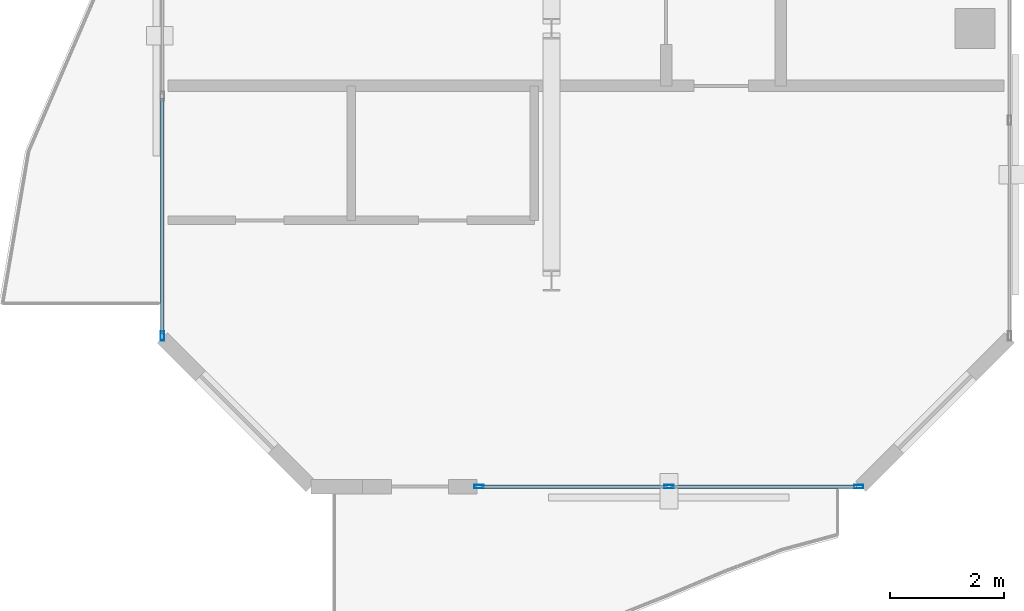
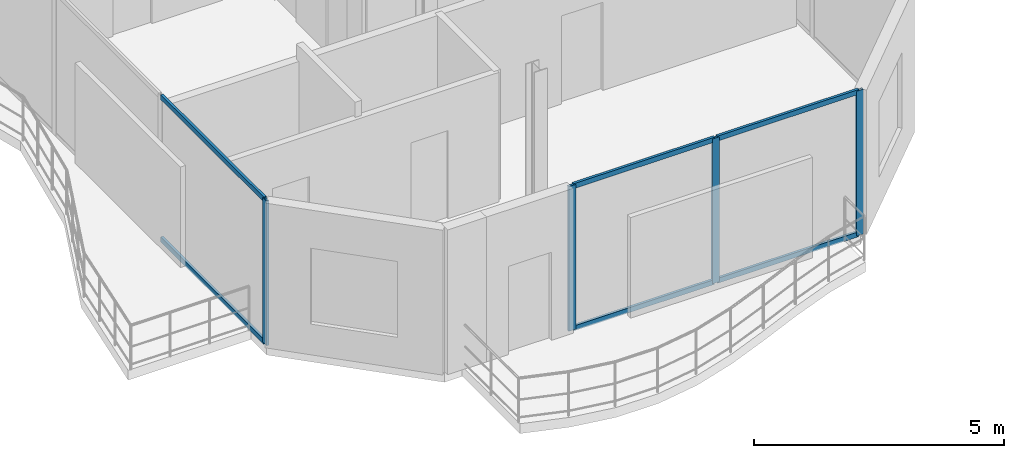
# One storey, part 2 of 17: 10 members, 2 elements without a shape of their own.
"""IFC4 building model written with IfcOpenShell, lengths in metres."""

from ifc_helpers import new_model, si_unit, direction, frame, origin, origin_2d, place, context, subcontext, project, spatial, hollow_rectangle, extrude, material, layer, layer_set, material_profile, profile_set, type_object, element, aggregate, save


model = new_model("IFC4")

# Units and contexts
model_context = context("Model", 3, precision=1e-05, world=origin(), true_north=direction((0.0, 1.0)))
body_context = subcontext(model_context, "Body", "Model", "MODEL_VIEW")
ifc_project = project(units=[si_unit("LENGTHUNIT", "METRE"), si_unit("AREAUNIT", "SQUARE_METRE"), si_unit("VOLUMEUNIT", "CUBIC_METRE"), si_unit("PLANEANGLEUNIT", "RADIAN"), si_unit("MASSUNIT", "GRAM", prefix="KILO")], contexts=[model_context])

# Site, building, storey
site_placement = place(None, origin())
site = spatial("IfcSite", under=ifc_project, at=site_placement, CompositionType="ELEMENT")
building_placement = place(site_placement, origin())
building = spatial("IfcBuilding", under=site, at=building_placement, Name="Catumbela Crestline Tower", CompositionType="ELEMENT")
storey_placement = place(building_placement, frame((0.0, 0.0, 267.8)))
storey = spatial("IfcBuildingStorey", under=building, at=storey_placement, Name="L69", CompositionType="ELEMENT", Elevation=267.8)

# Curtain wall, members
ifc_material = material(Name="Aluminium alloy AW-6060-T66", Category="aluminium")
ifc_layer = layer(ifc_material, 0.18, Name="Aluminium alloy AW-6060-T66")
ifc_layer_set = layer_set([ifc_layer], Name="Aluminium alloy AW-6060-T66")
curtain_wall_type = type_object("IfcCurtainWallType", Name="CWU-Z4", PredefinedType="USERDEFINED", material=ifc_layer_set)
curtain_wall_1_placement = place(storey_placement, origin())
curtain_wall_1 = element("IfcCurtainWall", 1, at=curtain_wall_1_placement, inside=storey, type_object=curtain_wall_type, Name="L69 Unitised Curtain Wall CW-L69-E0S2", ObjectType="UNITISED", PredefinedType="USERDEFINED")
ifc_material_profile_1 = material_profile(ifc_material, hollow_rectangle(XDim=0.06, YDim=0.16, WallThickness=0.004, at=origin_2d()), Name="ALU 160x60x4")
ifc_profile_set_1 = profile_set([ifc_material_profile_1], Name="Aluminium alloy AW-6060-T66")
member_type_1 = type_object("IfcMemberType", Name="MUL-160X60", PredefinedType="MULLION", material=ifc_profile_set_1)
member_1_placement = place(storey_placement, frame((14.7325, 10.0, 0.0), z_axis=(0.0, 0.0, 1.0), x_axis=(0.0, 1.0, 0.0)))
member_1 = element("IfcMember", 2, at=member_1_placement, type_object=member_type_1, Name="CWU-Z4 mullion 1", PredefinedType="MULLION", context=body_context, shape_type="SweptSolid", body=[
    extrude(hollow_rectangle(XDim=0.06, YDim=0.16, WallThickness=0.004, at=origin_2d()), origin(), (0.0, 0.0, 1.0), 3.53),
])
member_2_placement = place(storey_placement, frame((18.05, 10.0, 0.0), z_axis=(0.0, 0.0, 1.0), x_axis=(0.0, 1.0, 0.0)))
member_2 = element("IfcMember", 3, at=member_2_placement, type_object=member_type_1, Name="CWU-Z4 mullion 2", PredefinedType="MULLION", context=body_context, shape_type="SweptSolid", body=[
    extrude(hollow_rectangle(XDim=0.06, YDim=0.16, WallThickness=0.004, at=origin_2d()), origin(), (0.0, 0.0, 1.0), 3.53),
])
member_3_placement = place(storey_placement, frame((21.3675, 10.0, 0.0), z_axis=(0.0, 0.0, 1.0), x_axis=(0.0, 1.0, 0.0)))
member_3 = element("IfcMember", 4, at=member_3_placement, type_object=member_type_1, Name="CWU-Z4 mullion 3", PredefinedType="MULLION", context=body_context, shape_type="SweptSolid", body=[
    extrude(hollow_rectangle(XDim=0.06, YDim=0.16, WallThickness=0.004, at=origin_2d()), origin(), (0.0, 0.0, 1.0), 3.53),
])

# Curtain wall, member
curtain_wall_2_placement = place(storey_placement, origin())
curtain_wall_2 = element("IfcCurtainWall", 5, at=curtain_wall_2_placement, inside=storey, type_object=curtain_wall_type, Name="L69 Unitised Curtain Wall CW-L69-E9S2", ObjectType="UNITISED", PredefinedType="USERDEFINED")
member_4_placement = place(storey_placement, frame((9.2, 12.6325, 0.0), z_axis=(0.0, 0.0, 1.0), x_axis=(1.0, 0.0, 0.0)))
member_4 = element("IfcMember", 6, at=member_4_placement, type_object=member_type_1, Name="CWU-Z4 mullion 6", PredefinedType="MULLION", context=body_context, shape_type="SweptSolid", body=[
    extrude(hollow_rectangle(XDim=0.06, YDim=0.16, WallThickness=0.004, at=origin_2d()), origin(), (0.0, 0.0, 1.0), 3.53),
])

# Member
ifc_material_profile_2 = material_profile(ifc_material, hollow_rectangle(XDim=0.06, YDim=0.12, WallThickness=0.0035, at=origin_2d()), Name="ALU 120x60x3.5")
ifc_profile_set_2 = profile_set([ifc_material_profile_2], Name="Aluminium alloy AW-6060-T66")
member_type_2 = type_object("IfcMemberType", Name="TRN-120X60", PredefinedType="USERDEFINED", material=ifc_profile_set_2)
member_5_placement = place(storey_placement, frame((14.765, 10.0, 0.03), z_axis=(1.0, 0.0, 0.0), x_axis=(0.0, 1.0, 0.0)))
member_5 = element("IfcMember", 7, at=member_5_placement, type_object=member_type_2, Name="CWU-Z4 transom 1.1", ObjectType="TRANSOM", PredefinedType="USERDEFINED", context=body_context, shape_type="SweptSolid", body=[
    extrude(hollow_rectangle(XDim=0.06, YDim=0.12, WallThickness=0.0035, at=origin_2d()), origin(), (0.0, 0.0, 1.0), 3.2525),
])

member_6_placement = place(storey_placement, frame((14.765, 10.0, 3.5), z_axis=(1.0, 0.0, 0.0), x_axis=(0.0, 1.0, 0.0)))
member_6 = element("IfcMember", 8, at=member_6_placement, type_object=member_type_2, Name="CWU-Z4 transom 1.2", ObjectType="TRANSOM", PredefinedType="USERDEFINED", context=body_context, shape_type="SweptSolid", body=[
    extrude(hollow_rectangle(XDim=0.06, YDim=0.12, WallThickness=0.0035, at=origin_2d()), origin(), (0.0, 0.0, 1.0), 3.2525),
])

member_7_placement = place(storey_placement, frame((18.0825, 10.0, 0.03), z_axis=(1.0, 0.0, 0.0), x_axis=(0.0, 1.0, 0.0)))
member_7 = element("IfcMember", 9, at=member_7_placement, type_object=member_type_2, Name="CWU-Z4 transom 2.1", ObjectType="TRANSOM", PredefinedType="USERDEFINED", context=body_context, shape_type="SweptSolid", body=[
    extrude(hollow_rectangle(XDim=0.06, YDim=0.12, WallThickness=0.0035, at=origin_2d()), origin(), (0.0, 0.0, 1.0), 3.2525),
])

member_8_placement = place(storey_placement, frame((18.0825, 10.0, 3.5), z_axis=(1.0, 0.0, 0.0), x_axis=(0.0, 1.0, 0.0)))
member_8 = element("IfcMember", 10, at=member_8_placement, type_object=member_type_2, Name="CWU-Z4 transom 2.2", ObjectType="TRANSOM", PredefinedType="USERDEFINED", context=body_context, shape_type="SweptSolid", body=[
    extrude(hollow_rectangle(XDim=0.06, YDim=0.12, WallThickness=0.0035, at=origin_2d()), origin(), (0.0, 0.0, 1.0), 3.2525),
])

aggregate(curtain_wall_1, [member_1, member_2, member_3, member_5, member_6, member_7, member_8])

member_9_placement = place(storey_placement, frame((9.2, 16.7875, 0.03), z_axis=(0.0, -1.0, 0.0), x_axis=(1.0, 0.0, 0.0)))
member_9 = element("IfcMember", 11, at=member_9_placement, type_object=member_type_2, Name="CWU-Z4 transom 5.1", ObjectType="TRANSOM", PredefinedType="USERDEFINED", context=body_context, shape_type="SweptSolid", body=[
    extrude(hollow_rectangle(XDim=0.06, YDim=0.12, WallThickness=0.0035, at=origin_2d()), origin(), (0.0, 0.0, 1.0), 4.1225),
])

member_10_placement = place(storey_placement, frame((9.2, 16.7875, 3.5), z_axis=(0.0, -1.0, 0.0), x_axis=(1.0, 0.0, 0.0)))
member_10 = element("IfcMember", 12, at=member_10_placement, type_object=member_type_2, Name="CWU-Z4 transom 5.2", ObjectType="TRANSOM", PredefinedType="USERDEFINED", context=body_context, shape_type="SweptSolid", body=[
    extrude(hollow_rectangle(XDim=0.06, YDim=0.12, WallThickness=0.0035, at=origin_2d()), origin(), (0.0, 0.0, 1.0), 4.1225),
])

aggregate(curtain_wall_2, [member_4, member_9, member_10])

save(model, "model.ifc")
